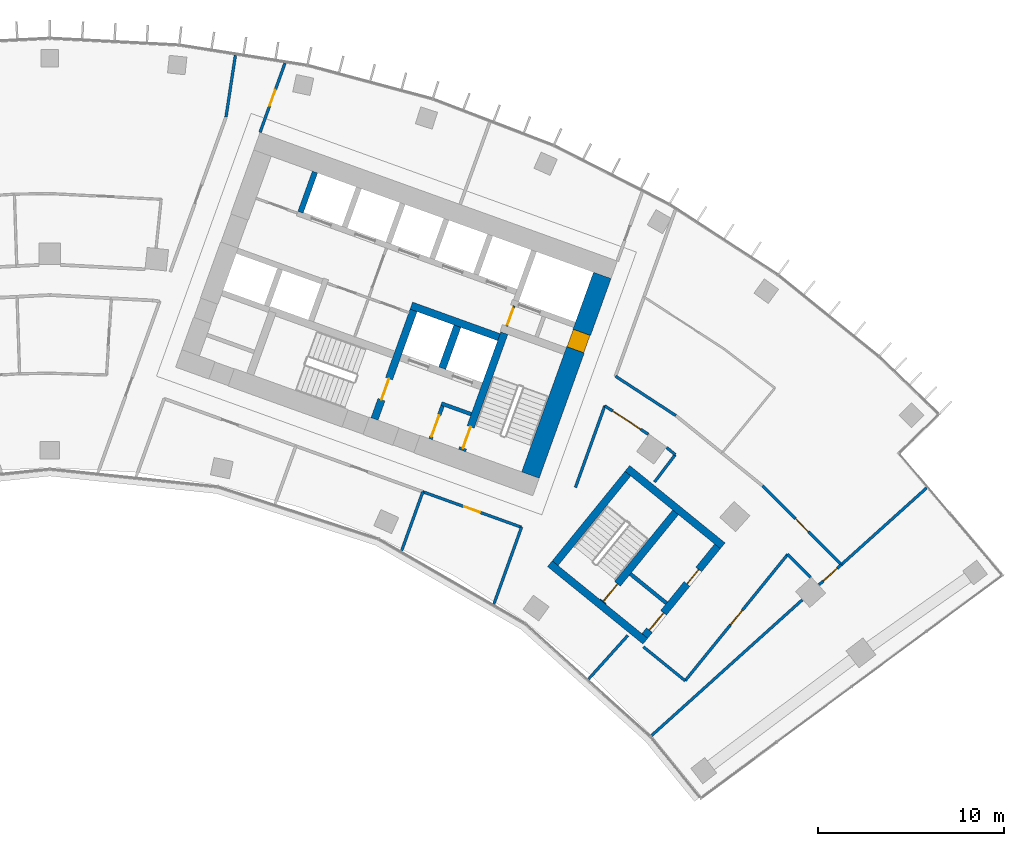
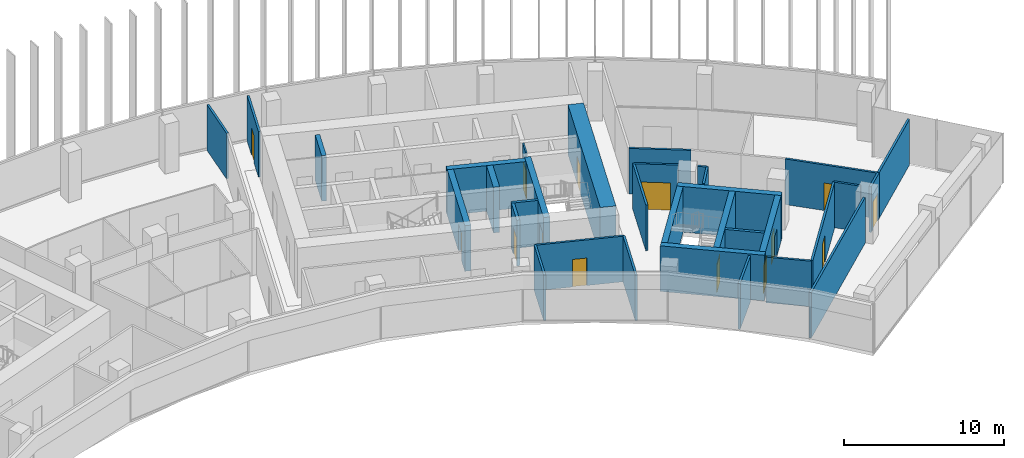
# One storey, part 17 of 20: 33 walls, 14 doors, 14 openings.
"""IFC4 building model written with IfcOpenShell, lengths in metres."""

from ifc_helpers import new_model, si_unit, direction, frame, frame_2d, origin, place, context, subcontext, project, spatial, rectangle, extrude, material, layer, layer_set, type_object, element, fill, save


model = new_model("IFC4")

# Units and contexts
model_context = context("Model", 3, precision=1e-05, world=origin(), true_north=direction((0.0, 1.0)))
body_context = subcontext(model_context, "Body", "Model", "MODEL_VIEW")
ifc_project = project(units=[si_unit("LENGTHUNIT", "METRE"), si_unit("AREAUNIT", "SQUARE_METRE"), si_unit("VOLUMEUNIT", "CUBIC_METRE"), si_unit("PLANEANGLEUNIT", "RADIAN"), si_unit("MASSUNIT", "GRAM", prefix="KILO")], contexts=[model_context])

# Site, building, storey
site_placement = place(None, origin())
site = spatial("IfcSite", under=ifc_project, at=site_placement, CompositionType="ELEMENT")
building_placement = place(site_placement, origin())
building = spatial("IfcBuilding", under=site, at=building_placement, Name="Stone Belt Terrace Tower", CompositionType="ELEMENT")
storey_placement = place(building_placement, frame((0.0, 0.0, 212.39990234375)))
storey = spatial("IfcBuildingStorey", under=building, at=storey_placement, Name="L51", CompositionType="ELEMENT", Elevation=212.39990234375)

# Wall, opening, door
ifc_material_1 = material(Name="Plasterboard partition")
ifc_layer_1 = layer(ifc_material_1, 0.10009765625)
ifc_layer_set_1 = layer_set([ifc_layer_1], Name="Core partition 100")
wall_type_1 = type_object("IfcWallType", Name="Core partition 100", PredefinedType="PARTITIONING", material=ifc_layer_set_1)
wall_1_placement = place(storey_placement, frame((24.555908203125, 51.10400390625, 0.0), z_axis=(0.0, 0.0, 1.0), x_axis=(0.338621735342, 0.94092258999, 0.0)))
wall_1 = element("IfcWall", 1, at=wall_1_placement, inside=storey, type_object=wall_type_1, Name="Core B wall", PredefinedType="PARTITIONING", context=body_context, shape_type="SweptSolid", body=[
    extrude(rectangle(XDim=1.14990234375, YDim=0.10009765625, at=frame_2d((0.574951171875, 0.0))), origin(), (0.0, 0.0, 1.0), 3.47998046875),
])
opening_1_placement = place(wall_1_placement, frame((0.050048828125, 0.0, 0.0)))
opening_1 = element("IfcOpeningElement", 2, at=opening_1_placement, cuts=wall_1, Name="Opening L51-C19", PredefinedType="OPENING", context=body_context, shape_type="SweptSolid", body=[
    extrude(rectangle(XDim=1.0, YDim=2.10009765625, at=frame_2d((0.5, 1.050048828125))), frame((0.0, 0.06005859375, 0.0), z_axis=(0.0, -1.0, 0.0), x_axis=(1.0, 0.0, 0.0)), (0.0, 0.0, 1.0), 0.1201171875),
])
ifc_material_2 = material(Name="Timber door leaf", Category="wood")
door_type_1 = type_object("IfcDoorType", Name="Core room door 1000", OperationType="SINGLE_SWING_LEFT", PredefinedType="DOOR", material=ifc_material_2)
door_1_placement = place(opening_1_placement, origin())
door_1 = element("IfcDoor", 3, at=door_1_placement, inside=storey, type_object=door_type_1, Name="Service lift lobby door core B", OperationType="SINGLE_SWING_RIGHT", OverallHeight=2.10009765625, OverallWidth=1.0, PredefinedType="DOOR", context=body_context, shape_type="SweptSolid", body=[
    extrude(rectangle(XDim=1.0, YDim=2.10009765625, at=frame_2d((0.5, 1.050048828125))), frame((0.0, 0.02490234375, 0.0), z_axis=(0.0, -1.0, 0.0), x_axis=(1.0, 0.0, 0.0)), (0.0, 0.0, 1.0), 0.050048828125),
])
fill(opening_1, door_1)

ifc_material_3 = material(Name="Concrete B60", Category="concrete")
ifc_layer_2 = layer(ifc_material_3, 1.0)
ifc_layer_set_2 = layer_set([ifc_layer_2], Name="Core wall 1000 B60")
wall_type_2 = type_object("IfcWallType", Name="Core wall 1000 B60", PredefinedType="SHEAR", material=ifc_layer_set_2)
wall_2_placement = place(storey_placement, frame((25.821044921875, 43.102783203125, 0.0), z_axis=(0.0, 0.0, 1.0), x_axis=(0.338625431531, 0.940921259788, 0.0)))
wall_2 = element("IfcWall", 4, at=wall_2_placement, inside=storey, type_object=wall_type_2, Name="Core B wall end_b L51", PredefinedType="SHEAR", context=body_context, shape_type="SweptSolid", body=[
    extrude(rectangle(XDim=11.400146484375, YDim=1.0, at=frame_2d((5.7001953125, 0.0))), origin(), (0.0, 0.0, 1.0), 3.800048828125),
])
opening_2_placement = place(wall_2_placement, frame((7.14990234375, 0.0, 0.0)))
opening_2 = element("IfcOpeningElement", 5, at=opening_2_placement, cuts=wall_2, Name="Opening L51-C18", PredefinedType="OPENING", context=body_context, shape_type="SweptSolid", body=[
    extrude(rectangle(XDim=1.0, YDim=2.10009765625, at=frame_2d((0.5, 1.050048828125))), frame((0.0, 0.510009765625, 0.0), z_axis=(0.0, -1.0, 0.0), x_axis=(1.0, 0.0, 0.0)), (0.0, 0.0, 1.0), 1.02001953125),
])
door_2_placement = place(opening_2_placement, origin())
door_2 = element("IfcDoor", 6, at=door_2_placement, inside=storey, type_object=door_type_1, Name="Door to Telecommunications riser room core B", OperationType="SINGLE_SWING_LEFT", OverallHeight=2.10009765625, OverallWidth=1.0, PredefinedType="DOOR", context=body_context, shape_type="SweptSolid", body=[
    extrude(rectangle(XDim=1.0, YDim=2.10009765625, at=frame_2d((0.5, 1.050048828125))), frame((0.0, 0.47998046875, 0.0), z_axis=(0.0, -1.0, 0.0), x_axis=(1.0, 0.0, 0.0)), (0.0, 0.0, 1.0), 0.949951171875),
])
fill(opening_2, door_2)

# Walls
ifc_material_4 = material(Name="Concrete B80", Category="concrete")
ifc_layer_3 = layer(ifc_material_4, 0.39990234375)
ifc_layer_set_3 = layer_set([ifc_layer_3], Name="Fire-fighting lift shaft wall 400")
wall_type_3 = type_object("IfcWallType", Name="Fire-fighting lift shaft wall 400", PredefinedType="SHEAR", material=ifc_layer_set_3)
wall_3_placement = place(storey_placement, frame((24.130615234375, 50.512939453125, 0.0), z_axis=(0.0, 0.0, 1.0), x_axis=(-0.94091168377, 0.338652038744, 0.0)))
element("IfcWall", 7, at=wall_3_placement, inside=storey, type_object=wall_type_3, Name="Core B wall", PredefinedType="SHEAR", context=body_context, shape_type="SweptSolid", body=[
    extrude(rectangle(XDim=5.000244140625, YDim=0.39990234375, at=frame_2d((2.5, 0.0))), origin(), (0.0, 0.0, 1.0), 3.47998046875),
])
wall_4_placement = place(storey_placement, frame((21.0859375, 48.845458984375, 0.0), z_axis=(0.0, 0.0, 1.0), x_axis=(0.338629416206, 0.940919825745, 0.0)))
element("IfcWall", 8, at=wall_4_placement, inside=storey, type_object=wall_type_3, Name="Core B wall", PredefinedType="SHEAR", context=body_context, shape_type="SweptSolid", body=[
    extrude(rectangle(XDim=2.400146484375, YDim=0.39990234375, at=frame_2d((1.2001953125, 0.0))), origin(), (0.0, 0.0, 1.0), 3.47998046875),
])
ifc_layer_4 = layer(ifc_material_4, 0.300048828125)
ifc_layer_set_4 = layer_set([ifc_layer_4], Name="Lift shaft wall 300")
wall_type_4 = type_object("IfcWallType", Name="Lift shaft wall 300", PredefinedType="SHEAR", material=ifc_layer_set_4)
wall_5_placement = place(storey_placement, frame((13.471435546875, 57.218505859375, 0.0), z_axis=(0.0, 0.0, 1.0), x_axis=(0.338587917, 0.940934759939, 0.0)))
element("IfcWall", 9, at=wall_5_placement, inside=storey, type_object=wall_type_4, Name="Core B wall", PredefinedType="SHEAR", context=body_context, shape_type="SweptSolid", body=[
    extrude(rectangle(XDim=2.300048828125, YDim=0.300048828125, at=frame_2d((1.14990234375, 0.0))), origin(), (0.0, 0.0, 1.0), 3.47998046875),
])

# Wall, opening, door
ifc_material_5 = material(Name="Gypsum board partition")
ifc_layer_5 = layer(ifc_material_5, 0.14990234375)
ifc_layer_set_5 = layer_set([ifc_layer_5], Name="PARTITION 150 EI 60")
wall_type_5 = type_object("IfcWallType", Name="PARTITION 150 EI 60", PredefinedType="PARTITIONING", material=ifc_layer_set_5)
wall_6_placement = place(storey_placement, frame((12.6357421875, 65.232177734375, 0.0), z_axis=(0.0, 0.0, 1.0), x_axis=(-0.338610223579, -0.940926732795, 0.0)))
wall_6 = element("IfcWall", 10, at=wall_6_placement, inside=storey, type_object=wall_type_5, Name="L51/wall/i023", PredefinedType="PARTITIONING", context=body_context, shape_type="SweptSolid", body=[
    extrude(rectangle(XDim=3.956787109375, YDim=0.14990234375, at=frame_2d((1.978515625, 0.0))), origin(), (0.0, 0.0, 1.0), 3.47998046875),
])
opening_3_placement = place(wall_6_placement, frame((1.5283203125, 0.0, 0.0)))
opening_3 = element("IfcOpeningElement", 11, at=opening_3_placement, cuts=wall_6, Name="Opening D-D2b-09", PredefinedType="OPENING", context=body_context, shape_type="SweptSolid", body=[
    extrude(rectangle(XDim=0.89990234375, YDim=2.10009765625, at=frame_2d((0.449951171875, 1.050048828125))), frame((0.0, 0.0849609375, 0.0), z_axis=(0.0, -1.0, 0.0), x_axis=(1.0, 0.0, 0.0)), (0.0, 0.0, 1.0), 0.169921875),
])
door_type_2 = type_object("IfcDoorType", Name="OFFICE DOOR 900 X 2100", OperationType="NOTDEFINED", PredefinedType="DOOR", material=ifc_material_2)
door_3_placement = place(opening_3_placement, origin())
door_3 = element("IfcDoor", 12, at=door_3_placement, inside=storey, type_object=door_type_2, Name="L51/door/i09", OperationType="SINGLE_SWING_RIGHT", OverallHeight=2.10009765625, OverallWidth=0.89990234375, PredefinedType="DOOR", context=body_context, shape_type="SweptSolid", body=[
    extrude(rectangle(XDim=0.89990234375, YDim=2.10009765625, at=frame_2d((0.449951171875, 1.050048828125))), frame((0.0, 0.02490234375, 0.0), z_axis=(0.0, -1.0, 0.0), x_axis=(1.0, 0.0, 0.0)), (0.0, 0.0, 1.0), 0.050048828125),
])
fill(opening_3, door_3)

# Walls
wall_7_placement = place(storey_placement, frame((9.468017578125, 62.337890625, 0.0), z_axis=(0.0, 0.0, 1.0), x_axis=(0.150154488208, 0.988662545903, 0.0)))
element("IfcWall", 13, at=wall_7_placement, inside=storey, type_object=wall_type_5, Name="L51/wall/i026", PredefinedType="PARTITIONING", context=body_context, shape_type="SweptSolid", body=[
    extrude(rectangle(XDim=3.35595703125, YDim=0.14990234375, at=frame_2d((1.677978515625, 0.0))), origin(), (0.0, 0.0, 1.0), 3.47998046875),
])
wall_8_placement = place(storey_placement, frame((23.860107421875, 36.1787109375, 0.0), z_axis=(0.0, 0.0, 1.0), x_axis=(0.338603151709, 0.94092927771, 0.0)))
element("IfcWall", 14, at=wall_8_placement, inside=storey, type_object=wall_type_5, Name="L51/wall/i027", PredefinedType="PARTITIONING", context=body_context, shape_type="SweptSolid", body=[
    extrude(rectangle(XDim=4.38525390625, YDim=0.14990234375, at=frame_2d((2.192626953125, 0.0))), origin(), (0.0, 0.0, 1.0), 3.47998046875),
])
wall_9_placement = place(storey_placement, frame((29.819091796875, 46.826904296875, 0.0), z_axis=(0.0, 0.0, 1.0), x_axis=(-0.338628568837, -0.940920130706, 0.0)))
element("IfcWall", 15, at=wall_9_placement, inside=storey, type_object=wall_type_5, Name="L51/wall/i029", PredefinedType="PARTITIONING", context=body_context, shape_type="SweptSolid", body=[
    extrude(rectangle(XDim=4.660400390625, YDim=0.14990234375, at=frame_2d((2.330078125, 0.0))), origin(), (0.0, 0.0, 1.0), 3.47998046875),
])
wall_10_placement = place(storey_placement, frame((31.054931640625, 34.489990234375, 0.0), z_axis=(0.0, 0.0, 1.0), x_axis=(-0.669118910745, -0.743155356089, 0.0)))
element("IfcWall", 16, at=wall_10_placement, inside=storey, type_object=wall_type_5, Name="L51/wall/i030", PredefinedType="PARTITIONING", context=body_context, shape_type="SweptSolid", body=[
    extrude(rectangle(XDim=3.149169921875, YDim=0.14990234375, at=frame_2d((1.57470703125, 0.0))), origin(), (0.0, 0.0, 1.0), 3.47998046875),
])

# Wall, opening, door
wall_11_placement = place(storey_placement, frame((25.343017578125, 40.299072265625, 0.0), z_axis=(0.0, 0.0, 1.0), x_axis=(-0.94095472918, 0.338532417405, 0.0)))
wall_11 = element("IfcWall", 17, at=wall_11_placement, inside=storey, type_object=wall_type_5, Name="L51/wall/i035", PredefinedType="PARTITIONING", context=body_context, shape_type="SweptSolid", body=[
    extrude(rectangle(XDim=5.638916015625, YDim=0.14990234375, at=frame_2d((2.8193359375, 0.0))), origin(), (0.0, 0.0, 1.0), 3.47998046875),
])
opening_4_placement = place(wall_11_placement, frame((2.369384765625, 0.0, 0.0)))
opening_4 = element("IfcOpeningElement", 18, at=opening_4_placement, cuts=wall_11, Name="Opening D-D2b-08", PredefinedType="OPENING", context=body_context, shape_type="SweptSolid", body=[
    extrude(rectangle(XDim=0.89990234375, YDim=2.10009765625, at=frame_2d((0.449951171875, 1.050048828125))), frame((0.0, 0.0849609375, 0.0), z_axis=(0.0, -1.0, 0.0), x_axis=(1.0, 0.0, 0.0)), (0.0, 0.0, 1.0), 0.169921875),
])
door_4_placement = place(opening_4_placement, origin())
door_4 = element("IfcDoor", 19, at=door_4_placement, inside=storey, type_object=door_type_2, Name="L51/door/i08", OperationType="SINGLE_SWING_RIGHT", OverallHeight=2.10009765625, OverallWidth=0.89990234375, PredefinedType="DOOR", context=body_context, shape_type="SweptSolid", body=[
    extrude(rectangle(XDim=0.89990234375, YDim=2.10009765625, at=frame_2d((0.449951171875, 1.050048828125))), frame((0.0, 0.02490234375, 0.0), z_axis=(0.0, -1.0, 0.0), x_axis=(1.0, 0.0, 0.0)), (0.0, 0.0, 1.0), 0.050048828125),
])
fill(opening_4, door_4)

# Wall
wall_12_placement = place(storey_placement, frame((20.04296875, 42.2060546875, 0.0), z_axis=(0.0, 0.0, 1.0), x_axis=(-0.338583278886, -0.940936428915, 0.0)))
element("IfcWall", 20, at=wall_12_placement, inside=storey, type_object=wall_type_5, Name="L51/wall/i037", PredefinedType="PARTITIONING", context=body_context, shape_type="SweptSolid", body=[
    extrude(rectangle(XDim=3.364501953125, YDim=0.14990234375, at=frame_2d((1.68212890625, 0.0))), origin(), (0.0, 0.0, 1.0), 3.47998046875),
])

# Wall, opening, door
wall_13_placement = place(storey_placement, frame((42.531005859375, 38.2939453125, 0.0), z_axis=(0.0, 0.0, 1.0), x_axis=(-0.743450987947, -0.668790421972, 0.0)))
wall_13 = element("IfcWall", 21, at=wall_13_placement, inside=storey, type_object=wall_type_5, Name="L51/wall/i056", PredefinedType="PARTITIONING", context=body_context, shape_type="SweptSolid", body=[
    extrude(rectangle(XDim=1.625244140625, YDim=0.14990234375, at=frame_2d((0.8125, 0.0))), origin(), (0.0, 0.0, 1.0), 3.47998046875),
])
opening_5_placement = place(wall_13_placement, frame((0.312744140625, 0.0, 0.0)))
opening_5 = element("IfcOpeningElement", 22, at=opening_5_placement, cuts=wall_13, Name="Opening D-D2b-17", PredefinedType="OPENING", context=body_context, shape_type="SweptSolid", body=[
    extrude(rectangle(XDim=1.0, YDim=2.10009765625, at=frame_2d((0.5, 1.050048828125))), frame((0.0, 0.0849609375, 0.0), z_axis=(0.0, -1.0, 0.0), x_axis=(1.0, 0.0, 0.0)), (0.0, 0.0, 1.0), 0.169921875),
])
ifc_material_6 = material(Name="Timber fire door leaf", Category="wood")
door_type_3 = type_object("IfcDoorType", Name="TENANCY ENTRANCE DOOR 1000 X 2100", OperationType="NOTDEFINED", PredefinedType="DOOR", material=ifc_material_6)
door_5_placement = place(opening_5_placement, origin())
door_5 = element("IfcDoor", 23, at=door_5_placement, inside=storey, type_object=door_type_3, Name="L51/door/i17", OperationType="SINGLE_SWING_RIGHT", OverallHeight=2.10009765625, OverallWidth=1.0, PredefinedType="DOOR", context=body_context, shape_type="SweptSolid", body=[
    extrude(rectangle(XDim=1.0, YDim=2.10009765625, at=frame_2d((0.5, 1.050048828125))), frame((0.0, 0.02490234375, 0.0), z_axis=(0.0, -1.0, 0.0), x_axis=(1.0, 0.0, 0.0)), (0.0, 0.0, 1.0), 0.050048828125),
])
fill(opening_5, door_5)

# Walls
wall_14_placement = place(storey_placement, frame((32.32666015625, 29.107177734375, 0.0), z_axis=(0.0, 0.0, 1.0), x_axis=(0.743123646352, 0.669154127412, 0.0)))
element("IfcWall", 24, at=wall_14_placement, inside=storey, type_object=wall_type_5, Name="L51/wall/i057", PredefinedType="PARTITIONING", context=body_context, shape_type="SweptSolid", body=[
    extrude(rectangle(XDim=10.89501953125, YDim=0.14990234375, at=frame_2d((5.447509765625, 0.0))), origin(), (0.0, 0.0, 1.0), 3.47998046875),
])
wall_15_placement = place(storey_placement, frame((42.52197265625, 38.287109375, 0.0), z_axis=(0.0, 0.0, 1.0), x_axis=(0.743181838168, 0.669089497315, 0.0)))
element("IfcWall", 25, at=wall_15_placement, inside=storey, type_object=wall_type_5, Name="L51/wall/i058", PredefinedType="PARTITIONING", context=body_context, shape_type="SweptSolid", body=[
    extrude(rectangle(XDim=6.161865234375, YDim=0.14990234375, at=frame_2d((3.0810546875, 0.0))), origin(), (0.0, 0.0, 1.0), 3.47998046875),
])
wall_16_placement = place(storey_placement, frame((32.487060546875, 42.72900390625, 0.0), z_axis=(0.0, 0.0, 1.0), x_axis=(0.604748058322, 0.796416841834, 0.0)))
element("IfcWall", 26, at=wall_16_placement, inside=storey, type_object=wall_type_5, Name="L51/wall/i059", PredefinedType="PARTITIONING", context=body_context, shape_type="SweptSolid", body=[
    extrude(rectangle(XDim=1.846923828125, YDim=0.14990234375, at=frame_2d((0.92333984375, 0.0))), origin(), (0.0, 0.0, 1.0), 3.47998046875),
])
wall_17_placement = place(storey_placement, frame((33.60302734375, 44.202880859375, 0.0), z_axis=(0.0, 0.0, 1.0), x_axis=(-0.77751985782, 0.628858386838, 0.0)))
element("IfcWall", 27, at=wall_17_placement, inside=storey, type_object=wall_type_5, Name="L51/wall/i060", PredefinedType="PARTITIONING", context=body_context, shape_type="SweptSolid", body=[
    extrude(rectangle(XDim=0.599365234375, YDim=0.14990234375, at=frame_2d((0.2998046875, 0.0))), origin(), (0.0, 0.0, 1.0), 3.47998046875),
])

# Wall, opening, door
wall_18_placement = place(storey_placement, frame((32.158935546875, 45.2919921875, 0.0), z_axis=(0.0, 0.0, 1.0), x_axis=(-0.837372487625, 0.546632707555, 0.0)))
wall_18 = element("IfcWall", 28, at=wall_18_placement, inside=storey, type_object=wall_type_5, Name="L51/wall/i061", PredefinedType="PARTITIONING", context=body_context, shape_type="SweptSolid", body=[
    extrude(rectangle(XDim=2.79541015625, YDim=0.14990234375, at=frame_2d((1.397705078125, 0.0))), origin(), (0.0, 0.0, 1.0), 3.47998046875),
])
opening_6_placement = place(wall_18_placement, frame((0.497802734375, 0.0, 0.0)))
opening_6 = element("IfcOpeningElement", 29, at=opening_6_placement, cuts=wall_18, Name="Opening D-D2b-18", PredefinedType="OPENING", context=body_context, shape_type="SweptSolid", body=[
    extrude(rectangle(XDim=1.800048828125, YDim=2.10009765625, at=frame_2d((0.89990234375, 1.050048828125))), frame((0.0, 0.0849609375, 0.0), z_axis=(0.0, -1.0, 0.0), x_axis=(1.0, 0.0, 0.0)), (0.0, 0.0, 1.0), 0.169921875),
])
door_type_4 = type_object("IfcDoorType", Name="DOUBLE DOOR 1800 X 2100", OperationType="DOUBLE_DOOR_SINGLE_SWING", PredefinedType="DOOR", material=ifc_material_2)
door_6_placement = place(opening_6_placement, origin())
door_6 = element("IfcDoor", 30, at=door_6_placement, inside=storey, type_object=door_type_4, Name="L51/door/i18", OperationType="DOUBLE_DOOR_SINGLE_SWING", OverallHeight=2.10009765625, OverallWidth=1.800048828125, PredefinedType="DOOR", context=body_context, shape_type="SweptSolid", body=[
    extrude(rectangle(XDim=1.800048828125, YDim=2.10009765625, at=frame_2d((0.89990234375, 1.050048828125))), frame((0.0, 0.02490234375, 0.0), z_axis=(0.0, -1.0, 0.0), x_axis=(1.0, 0.0, 0.0)), (0.0, 0.0, 1.0), 0.050048828125),
])
fill(opening_6, door_6)

# Wall
wall_19_placement = place(storey_placement, frame((40.871826171875, 37.615234375, 0.0), z_axis=(0.0, 0.0, 1.0), x_axis=(-0.707176795224, 0.707036760216, 0.0)))
element("IfcWall", 31, at=wall_19_placement, inside=storey, type_object=wall_type_5, Name="L51/wall/i062", PredefinedType="PARTITIONING", context=body_context, shape_type="SweptSolid", body=[
    extrude(rectangle(XDim=1.743408203125, YDim=0.14990234375, at=frame_2d((0.87158203125, 0.0))), origin(), (0.0, 0.0, 1.0), 3.47998046875),
])

# Wall, opening, door
wall_20_placement = place(storey_placement, frame((38.291015625, 42.52587890625, 0.0), z_axis=(0.0, 0.0, 1.0), x_axis=(0.707106781187, -0.707106781187, 0.0)))
wall_20 = element("IfcWall", 32, at=wall_20_placement, inside=storey, type_object=wall_type_5, Name="L51/wall/i064", PredefinedType="PARTITIONING", context=body_context, shape_type="SweptSolid", body=[
    extrude(rectangle(XDim=5.989013671875, YDim=0.14990234375, at=frame_2d((2.99462890625, 0.0))), origin(), (0.0, 0.0, 1.0), 3.47998046875),
])
opening_7_placement = place(wall_20_placement, frame((2.49462890625, 0.0, 0.0)))
opening_7 = element("IfcOpeningElement", 33, at=opening_7_placement, cuts=wall_20, Name="Opening D-D2b-20", PredefinedType="OPENING", context=body_context, shape_type="SweptSolid", body=[
    extrude(rectangle(XDim=1.0, YDim=2.10009765625, at=frame_2d((0.5, 1.050048828125))), frame((0.0, 0.0849609375, 0.0), z_axis=(0.0, -1.0, 0.0), x_axis=(1.0, 0.0, 0.0)), (0.0, 0.0, 1.0), 0.169921875),
])
door_7_placement = place(opening_7_placement, origin())
door_7 = element("IfcDoor", 34, at=door_7_placement, inside=storey, type_object=door_type_3, Name="L51/door/i20", OperationType="SINGLE_SWING_RIGHT", OverallHeight=2.10009765625, OverallWidth=1.0, PredefinedType="DOOR", context=body_context, shape_type="SweptSolid", body=[
    extrude(rectangle(XDim=1.0, YDim=2.10009765625, at=frame_2d((0.5, 1.050048828125))), frame((0.0, 0.02490234375, 0.0), z_axis=(0.0, -1.0, 0.0), x_axis=(1.0, 0.0, 0.0)), (0.0, 0.0, 1.0), 0.050048828125),
])
fill(opening_7, door_7)

# Wall
wall_21_placement = place(storey_placement, frame((30.39111328125, 48.4150390625, 0.0), z_axis=(0.0, 0.0, 1.0), x_axis=(0.837265796004, -0.546796110851, 0.0)))
element("IfcWall", 35, at=wall_21_placement, inside=storey, type_object=wall_type_5, Name="L51/wall/i065", PredefinedType="PARTITIONING", context=body_context, shape_type="SweptSolid", body=[
    extrude(rectangle(XDim=3.87548828125, YDim=0.14990234375, at=frame_2d((1.937744140625, 0.0))), origin(), (0.0, 0.0, 1.0), 3.47998046875),
])

# Wall, opening, door
wall_22_placement = place(storey_placement, frame((39.64306640625, 38.843994140625, 0.0), z_axis=(0.0, 0.0, 1.0), x_axis=(-0.630226712005, -0.776411161354, 0.0)))
wall_22 = element("IfcWall", 36, at=wall_22_placement, inside=storey, type_object=wall_type_5, Name="L51/wall/i067", PredefinedType="PARTITIONING", context=body_context, shape_type="SweptSolid", body=[
    extrude(rectangle(XDim=8.742919921875, YDim=0.14990234375, at=frame_2d((4.37158203125, 0.0))), origin(), (0.0, 0.0, 1.0), 3.47998046875),
])
opening_8_placement = place(wall_22_placement, frame((3.871337890625, 0.0, 0.0)))
opening_8 = element("IfcOpeningElement", 37, at=opening_8_placement, cuts=wall_22, Name="Opening D-D2b-19", PredefinedType="OPENING", context=body_context, shape_type="SweptSolid", body=[
    extrude(rectangle(XDim=1.0, YDim=2.10009765625, at=frame_2d((0.5, 1.050048828125))), frame((0.0, 0.0849609375, 0.0), z_axis=(0.0, -1.0, 0.0), x_axis=(1.0, 0.0, 0.0)), (0.0, 0.0, 1.0), 0.169921875),
])
door_8_placement = place(opening_8_placement, origin())
door_8 = element("IfcDoor", 38, at=door_8_placement, inside=storey, type_object=door_type_3, Name="L51/door/i19", OperationType="SINGLE_SWING_RIGHT", OverallHeight=2.10009765625, OverallWidth=1.0, PredefinedType="DOOR", context=body_context, shape_type="SweptSolid", body=[
    extrude(rectangle(XDim=1.0, YDim=2.10009765625, at=frame_2d((0.5, 1.050048828125))), frame((0.0, 0.02490234375, 0.0), z_axis=(0.0, -1.0, 0.0), x_axis=(1.0, 0.0, 0.0)), (0.0, 0.0, 1.0), 0.050048828125),
])
fill(opening_8, door_8)

# Walls
wall_23_placement = place(storey_placement, frame((34.133056640625, 32.055908203125, 0.0), z_axis=(0.0, 0.0, 1.0), x_axis=(-0.776369956068, 0.630277471686, 0.0)))
element("IfcWall", 39, at=wall_23_placement, inside=storey, type_object=wall_type_5, Name="L51/wall/i068", PredefinedType="PARTITIONING", context=body_context, shape_type="SweptSolid", body=[
    extrude(rectangle(XDim=2.8876953125, YDim=0.14990234375, at=frame_2d((1.44384765625, 0.0))), origin(), (0.0, 0.0, 1.0), 3.47998046875),
])
ifc_material_7 = material(Name="Concrete masonry block", Category="masonry")
ifc_layer_6 = layer(ifc_material_7, 0.199951171875)
ifc_layer_set_6 = layer_set([ifc_layer_6], Name="Rated lobby wall 200")
wall_type_6 = type_object("IfcWallType", Name="Rated lobby wall 200", PredefinedType="PARTITIONING", material=ifc_layer_set_6)
wall_24_placement = place(storey_placement, frame((22.640625, 46.373046875, 0.0), z_axis=(0.0, 0.0, 1.0), x_axis=(-0.940966110313, 0.338500781747, 0.0)))
element("IfcWall", 40, at=wall_24_placement, inside=storey, type_object=wall_type_6, Name="Core B wall", PredefinedType="PARTITIONING", context=body_context, shape_type="SweptSolid", body=[
    extrude(rectangle(XDim=1.699951171875, YDim=0.199951171875, at=frame_2d((0.85009765625, 0.0))), origin(), (0.0, 0.0, 1.0), 3.47998046875),
])

# Wall, opening, door
wall_25_placement = place(storey_placement, frame((20.4580078125, 45.032958984375, 0.0), z_axis=(0.0, 0.0, 1.0), x_axis=(0.338573865316, 0.940939816208, 0.0)))
wall_25 = element("IfcWall", 41, at=wall_25_placement, inside=storey, type_object=wall_type_6, Name="Core B wall", PredefinedType="PARTITIONING", context=body_context, shape_type="SweptSolid", body=[
    extrude(rectangle(XDim=1.900146484375, YDim=0.199951171875, at=frame_2d((0.9501953125, 0.0))), origin(), (0.0, 0.0, 1.0), 3.47998046875),
])
opening_9_placement = place(wall_25_placement, frame((0.14990234375, 0.0, 0.0)))
opening_9 = element("IfcOpeningElement", 42, at=opening_9_placement, cuts=wall_25, Name="Opening L51-C23", PredefinedType="OPENING", context=body_context, shape_type="SweptSolid", body=[
    extrude(rectangle(XDim=1.199951171875, YDim=2.10009765625, at=frame_2d((0.60009765625, 1.050048828125))), frame((0.0, 0.10986328125, 0.0), z_axis=(0.0, -1.0, 0.0), x_axis=(1.0, 0.0, 0.0)), (0.0, 0.0, 1.0), 0.219970703125),
])
ifc_material_8 = material(Name="Steel door leaf", Category="steel")
door_type_5 = type_object("IfcDoorType", Name="Stair door 1200", OperationType="SINGLE_SWING_LEFT", PredefinedType="DOOR", material=ifc_material_8)
door_9_placement = place(opening_9_placement, origin())
door_9 = element("IfcDoor", 43, at=door_9_placement, inside=storey, type_object=door_type_5, Name="Stair airlock door core B", OperationType="SINGLE_SWING_RIGHT", OverallHeight=2.10009765625, OverallWidth=1.199951171875, PredefinedType="DOOR", context=body_context, shape_type="SweptSolid", body=[
    extrude(rectangle(XDim=1.199951171875, YDim=2.10009765625, at=frame_2d((0.60009765625, 1.050048828125))), frame((0.0, 0.02490234375, 0.0), z_axis=(0.0, -1.0, 0.0), x_axis=(1.0, 0.0, 0.0)), (0.0, 0.0, 1.0), 0.050048828125),
])
fill(opening_9, door_9)

# Wall
wall_26_placement = place(storey_placement, frame((31.190673828125, 37.79296875, 0.0), z_axis=(0.0, 0.0, 1.0), x_axis=(0.776370830301, -0.630276394813, 0.0)))
element("IfcWall", 44, at=wall_26_placement, inside=storey, type_object=wall_type_6, Name="Exit stair ST3B wall", PredefinedType="PARTITIONING", context=body_context, shape_type="SweptSolid", body=[
    extrude(rectangle(XDim=2.5, YDim=0.199951171875, at=frame_2d((1.25, 0.0))), origin(), (0.0, 0.0, 1.0), 3.47998046875),
])

# Wall, opening, door
ifc_layer_7 = layer(ifc_material_4, 0.39990234375)
ifc_layer_set_7 = layer_set([ifc_layer_7], Name="Stair enclosure wall 400")
wall_type_7 = type_object("IfcWallType", Name="Stair enclosure wall 400", PredefinedType="SHEAR", material=ifc_layer_set_7)
wall_27_placement = place(storey_placement, frame((22.151611328125, 44.42333984375, 0.0), z_axis=(0.0, 0.0, 1.0), x_axis=(0.338625272931, 0.940921316866, 0.0)))
wall_27 = element("IfcWall", 45, at=wall_27_placement, inside=storey, type_object=wall_type_7, Name="Core B wall", PredefinedType="SHEAR", context=body_context, shape_type="SweptSolid", body=[
    extrude(rectangle(XDim=6.699951171875, YDim=0.39990234375, at=frame_2d((3.35009765625, 0.0))), origin(), (0.0, 0.0, 1.0), 3.47998046875),
])
opening_10_placement = place(wall_27_placement, frame((0.14990234375, 0.0, 0.0)))
opening_10 = element("IfcOpeningElement", 46, at=opening_10_placement, cuts=wall_27, Name="Opening L51-C22", PredefinedType="OPENING", context=body_context, shape_type="SweptSolid", body=[
    extrude(rectangle(XDim=1.199951171875, YDim=2.10009765625, at=frame_2d((0.60009765625, 1.050048828125))), frame((0.0, 0.2099609375, 0.0), z_axis=(0.0, -1.0, 0.0), x_axis=(1.0, 0.0, 0.0)), (0.0, 0.0, 1.0), 0.419921875),
])
door_10_placement = place(opening_10_placement, origin())
door_10 = element("IfcDoor", 47, at=door_10_placement, inside=storey, type_object=door_type_5, Name="Stair 1 door core B", OperationType="SINGLE_SWING_RIGHT", OverallHeight=2.10009765625, OverallWidth=1.199951171875, PredefinedType="DOOR", context=body_context, shape_type="SweptSolid", body=[
    extrude(rectangle(XDim=1.199951171875, YDim=2.10009765625, at=frame_2d((0.60009765625, 1.050048828125))), frame((0.0, 0.02490234375, 0.0), z_axis=(0.0, -1.0, 0.0), x_axis=(1.0, 0.0, 0.0)), (0.0, 0.0, 1.0), 0.050048828125),
])
fill(opening_10, door_10)

wall_28_placement = place(storey_placement, frame((17.447021484375, 46.116455078125, 0.0), z_axis=(0.0, 0.0, 1.0), x_axis=(0.33860791464, 0.940927563707, 0.0)))
wall_28 = element("IfcWall", 48, at=wall_28_placement, inside=storey, type_object=wall_type_7, Name="Core B wall", PredefinedType="SHEAR", context=body_context, shape_type="SweptSolid", body=[
    extrude(rectangle(XDim=6.199951171875, YDim=0.39990234375, at=frame_2d((3.10009765625, 0.0))), origin(), (0.0, 0.0, 1.0), 3.47998046875),
])
opening_11_placement = place(wall_28_placement, frame((1.10009765625, 0.0, 0.0)))
opening_11 = element("IfcOpeningElement", 49, at=opening_11_placement, cuts=wall_28, Name="Opening L51-C25", PredefinedType="OPENING", context=body_context, shape_type="SweptSolid", body=[
    extrude(rectangle(XDim=1.199951171875, YDim=2.10009765625, at=frame_2d((0.60009765625, 1.050048828125))), frame((0.0, 0.2099609375, 0.0), z_axis=(0.0, -1.0, 0.0), x_axis=(1.0, 0.0, 0.0)), (0.0, 0.0, 1.0), 0.419921875),
])
door_11_placement = place(opening_11_placement, origin())
door_11 = element("IfcDoor", 50, at=door_11_placement, inside=storey, type_object=door_type_5, Name="Stair 2 door core B", OperationType="SINGLE_SWING_RIGHT", OverallHeight=2.10009765625, OverallWidth=1.199951171875, PredefinedType="DOOR", context=body_context, shape_type="SweptSolid", body=[
    extrude(rectangle(XDim=1.199951171875, YDim=2.10009765625, at=frame_2d((0.60009765625, 1.050048828125))), frame((0.0, 0.02490234375, 0.0), z_axis=(0.0, -1.0, 0.0), x_axis=(1.0, 0.0, 0.0)), (0.0, 0.0, 1.0), 0.050048828125),
])
fill(opening_11, door_11)

# Walls
wall_29_placement = place(storey_placement, frame((26.868408203125, 38.3388671875, 0.0), z_axis=(0.0, 0.0, 1.0), x_axis=(0.776428452498, -0.630205409491, 0.0)))
element("IfcWall", 51, at=wall_29_placement, inside=storey, type_object=wall_type_7, Name="Exit stair ST3B wall", PredefinedType="SHEAR", context=body_context, shape_type="SweptSolid", body=[
    extrude(rectangle(XDim=6.60009765625, YDim=0.39990234375, at=frame_2d((3.300048828125, 0.0))), origin(), (0.0, 0.0, 1.0), 3.47998046875),
])
wall_30_placement = place(storey_placement, frame((31.02783203125, 43.46337890625, 0.0), z_axis=(0.0, 0.0, 1.0), x_axis=(0.776413760801, -0.630223509589, 0.0)))
element("IfcWall", 52, at=wall_30_placement, inside=storey, type_object=wall_type_7, Name="Exit stair ST3B wall", PredefinedType="SHEAR", context=body_context, shape_type="SweptSolid", body=[
    extrude(rectangle(XDim=6.599853515625, YDim=0.39990234375, at=frame_2d((3.2998046875, 0.0))), origin(), (0.0, 0.0, 1.0), 3.47998046875),
])
wall_31_placement = place(storey_placement, frame((27.149658203125, 38.3681640625, 0.0), z_axis=(0.0, 0.0, 1.0), x_axis=(0.630211551729, 0.776423466973, 0.0)))
element("IfcWall", 53, at=wall_31_placement, inside=storey, type_object=wall_type_7, Name="Exit stair ST3B wall", PredefinedType="SHEAR", context=body_context, shape_type="SweptSolid", body=[
    extrude(rectangle(XDim=6.199951171875, YDim=0.39990234375, at=frame_2d((3.10009765625, 0.0))), origin(), (0.0, 0.0, 1.0), 3.47998046875),
])

# Wall, openings, doors
wall_32_placement = place(storey_placement, frame((31.963623046875, 34.460693359375, 0.0), z_axis=(0.0, 0.0, 1.0), x_axis=(0.630192283849, 0.776439106033, 0.0)))
wall_32 = element("IfcWall", 54, at=wall_32_placement, inside=storey, type_object=wall_type_7, Name="Exit stair ST3B wall", PredefinedType="SHEAR", context=body_context, shape_type="SweptSolid", body=[
    extrude(rectangle(XDim=6.199951171875, YDim=0.39990234375, at=frame_2d((3.10009765625, 0.0))), origin(), (0.0, 0.0, 1.0), 3.47998046875),
])
opening_12_placement = place(wall_32_placement, frame((0.39990234375, 0.0, 0.0)))
opening_12 = element("IfcOpeningElement", 55, at=opening_12_placement, cuts=wall_32, Name="Opening L51-C33", PredefinedType="OPENING", context=body_context, shape_type="SweptSolid", body=[
    extrude(rectangle(XDim=1.199951171875, YDim=2.10009765625, at=frame_2d((0.60009765625, 1.050048828125))), frame((0.0, 0.2099609375, 0.0), z_axis=(0.0, -1.0, 0.0), x_axis=(1.0, 0.0, 0.0)), (0.0, 0.0, 1.0), 0.419921875),
])
opening_13_placement = place(wall_32_placement, frame((3.60009765625, 0.0, 0.0)))
opening_13 = element("IfcOpeningElement", 56, at=opening_13_placement, cuts=wall_32, Name="Opening L51-C34", PredefinedType="OPENING", context=body_context, shape_type="SweptSolid", body=[
    extrude(rectangle(XDim=1.0, YDim=2.10009765625, at=frame_2d((0.5, 1.050048828125))), frame((0.0, 0.2099609375, 0.0), z_axis=(0.0, -1.0, 0.0), x_axis=(1.0, 0.0, 0.0)), (0.0, 0.0, 1.0), 0.419921875),
])
door_12_placement = place(opening_13_placement, origin())
door_12 = element("IfcDoor", 57, at=door_12_placement, inside=storey, type_object=door_type_1, Name="Door to stair pressurisation plant room ST3B", OperationType="SINGLE_SWING_LEFT", OverallHeight=2.10009765625, OverallWidth=1.0, PredefinedType="DOOR", context=body_context, shape_type="SweptSolid", body=[
    extrude(rectangle(XDim=1.0, YDim=2.10009765625, at=frame_2d((0.5, 1.050048828125))), frame((0.0, 0.02490234375, 0.0), z_axis=(0.0, -1.0, 0.0), x_axis=(1.0, 0.0, 0.0)), (0.0, 0.0, 1.0), 0.050048828125),
])
fill(opening_13, door_12)
door_type_6 = type_object("IfcDoorType", Name="Stair airlock door 1200", OperationType="SINGLE_SWING_LEFT", PredefinedType="DOOR", material=ifc_material_8)
door_13_placement = place(opening_12_placement, origin())
door_13 = element("IfcDoor", 58, at=door_13_placement, inside=storey, type_object=door_type_6, Name="Stair airlock door ST3B", OperationType="SINGLE_SWING_LEFT", OverallHeight=2.10009765625, OverallWidth=1.199951171875, PredefinedType="DOOR", context=body_context, shape_type="SweptSolid", body=[
    extrude(rectangle(XDim=1.199951171875, YDim=2.10009765625, at=frame_2d((0.60009765625, 1.050048828125))), frame((0.0, 0.02490234375, 0.0), z_axis=(0.0, -1.0, 0.0), x_axis=(1.0, 0.0, 0.0)), (0.0, 0.0, 1.0), 0.050048828125),
])
fill(opening_12, door_13)

# Wall, opening, door
wall_33_placement = place(storey_placement, frame((29.7119140625, 36.288330078125, 0.0), z_axis=(0.0, 0.0, 1.0), x_axis=(0.630192283849, 0.776439106033, 0.0)))
wall_33 = element("IfcWall", 59, at=wall_33_placement, inside=storey, type_object=wall_type_7, Name="Exit stair ST3B wall", PredefinedType="SHEAR", context=body_context, shape_type="SweptSolid", body=[
    extrude(rectangle(XDim=6.199951171875, YDim=0.39990234375, at=frame_2d((3.10009765625, 0.0))), origin(), (0.0, 0.0, 1.0), 3.47998046875),
])
opening_14_placement = place(wall_33_placement, frame((0.050048828125, 0.0, 0.0)))
opening_14 = element("IfcOpeningElement", 60, at=opening_14_placement, cuts=wall_33, Name="Opening L51-C32", PredefinedType="OPENING", context=body_context, shape_type="SweptSolid", body=[
    extrude(rectangle(XDim=1.199951171875, YDim=2.10009765625, at=frame_2d((0.60009765625, 1.050048828125))), frame((0.0, 0.2099609375, 0.0), z_axis=(0.0, -1.0, 0.0), x_axis=(1.0, 0.0, 0.0)), (0.0, 0.0, 1.0), 0.419921875),
])
door_14_placement = place(opening_14_placement, origin())
door_14 = element("IfcDoor", 61, at=door_14_placement, inside=storey, type_object=door_type_5, Name="Stair door ST3B", OperationType="SINGLE_SWING_RIGHT", OverallHeight=2.10009765625, OverallWidth=1.199951171875, PredefinedType="DOOR", context=body_context, shape_type="SweptSolid", body=[
    extrude(rectangle(XDim=1.199951171875, YDim=2.10009765625, at=frame_2d((0.60009765625, 1.050048828125))), frame((0.0, 0.02490234375, 0.0), z_axis=(0.0, -1.0, 0.0), x_axis=(1.0, 0.0, 0.0)), (0.0, 0.0, 1.0), 0.050048828125),
])
fill(opening_14, door_14)

save(model, "model.ifc")
